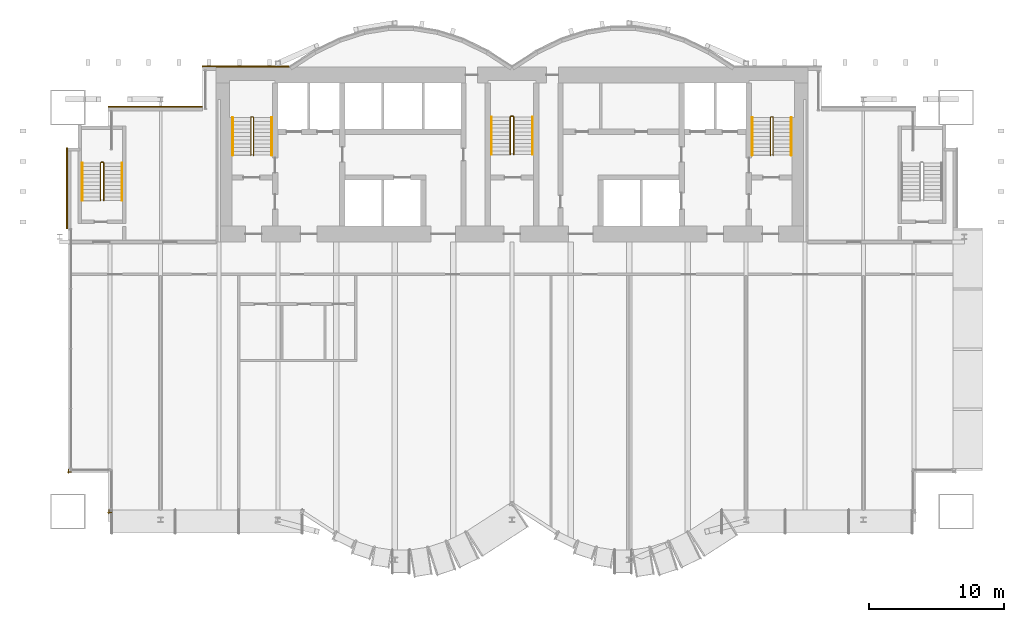
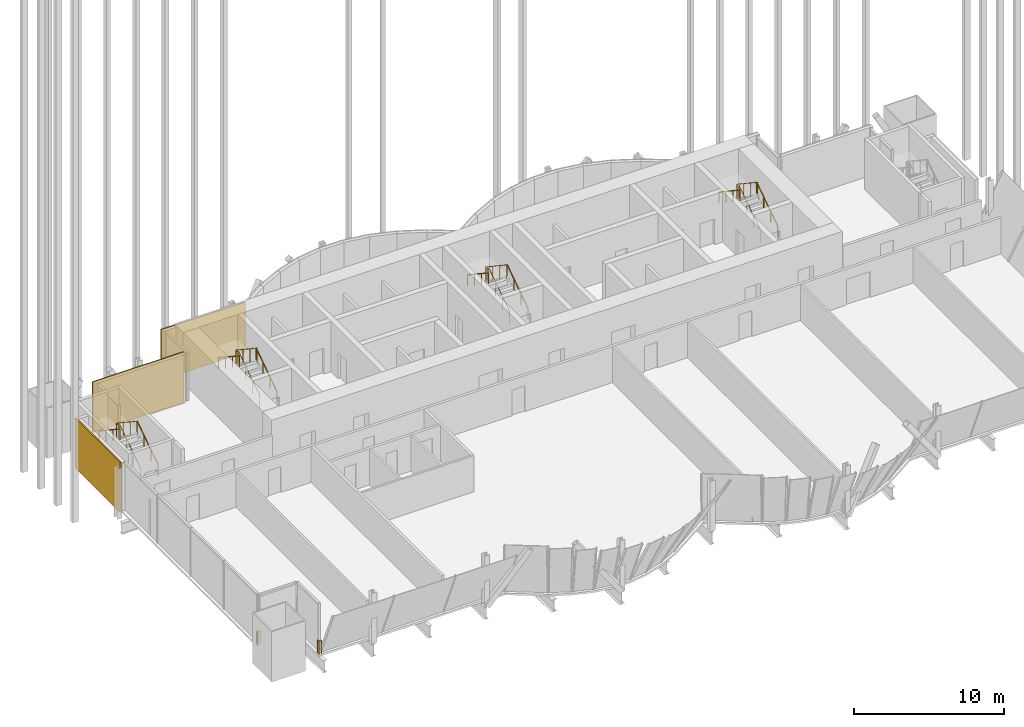
# One storey, part 32 of 33: 14 railings, 3 coverings.
"""IFC4 building model written with IfcOpenShell, lengths in metres."""

from ifc_helpers import new_model, si_unit, direction, frame, origin, origin_2d, place, context, subcontext, project, spatial, rectangle, circle, extrude, material, layer, layer_set, type_object, element, save


model = new_model("IFC4")

# Units and contexts
model_context = context("Model", 3, precision=1e-05, world=origin(), true_north=direction((0.0, 1.0)))
body_context = subcontext(model_context, "Body", "Model", "MODEL_VIEW")
ifc_project = project(units=[si_unit("LENGTHUNIT", "METRE"), si_unit("AREAUNIT", "SQUARE_METRE"), si_unit("VOLUMEUNIT", "CUBIC_METRE"), si_unit("PLANEANGLEUNIT", "RADIAN"), si_unit("MASSUNIT", "GRAM", prefix="KILO")], contexts=[model_context])

# Site, building, storey
site_placement = place(None, origin())
site = spatial("IfcSite", under=ifc_project, at=site_placement, CompositionType="ELEMENT")
building_placement = place(site_placement, origin())
building = spatial("IfcBuilding", under=site, at=building_placement, Name="Bicima Exchange Tower", CompositionType="ELEMENT")
storey_placement = place(building_placement, frame((0.0, 0.0, 140.39990234375)))
storey = spatial("IfcBuildingStorey", under=building, at=storey_placement, Name="L30", CompositionType="ELEMENT", Elevation=140.39990234375)

# Coverings
ifc_material_1 = material(Name="Bronze metal cladding")
ifc_layer_1 = layer(ifc_material_1, 0.004)
ifc_material_2 = material(Name="Ventilated cavity")
ifc_layer_2 = layer(ifc_material_2, 0.06)
ifc_material_3 = material(Name="Galvanised steel rail and mineral wool", Category="steel")
ifc_layer_3 = layer(ifc_material_3, 0.036)
ifc_layer_set = layer_set([ifc_layer_1, ifc_layer_2, ifc_layer_3], Name="Ventilated cavity")
covering_type = type_object("IfcCoveringType", Name="Bronze metal cladding panel 100", PredefinedType="CLADDING", material=ifc_layer_set)
covering_1_placement = place(storey_placement, frame((-19.75, 0.050048828125, -0.14990234375), z_axis=(0.0, 0.0, 1.0), x_axis=(-1.0, 0.0, 0.0)))
element("IfcCovering", 1, at=covering_1_placement, inside=storey, type_object=covering_type, Name="Bronze cladding L30 26.1", PredefinedType="CLADDING", context=body_context, shape_type="SweptSolid", body=[
    extrude(rectangle(XDim=6.5, YDim=0.10009765625, at=origin_2d()), origin(), (0.0, 0.0, 1.0), 4.10009765625),
])
covering_2_placement = place(storey_placement, frame((-26.5, -2.949951171875, -0.14990234375), z_axis=(0.0, 0.0, 1.0), x_axis=(-1.0, 0.0, 0.0)))
element("IfcCovering", 2, at=covering_2_placement, inside=storey, type_object=covering_type, Name="Bronze cladding L30 28.1", PredefinedType="CLADDING", context=body_context, shape_type="SweptSolid", body=[
    extrude(rectangle(XDim=7.0, YDim=0.10009765625, at=origin_2d()), origin(), (0.0, 0.0, 1.0), 4.10009765625),
])
covering_3_placement = place(storey_placement, frame((-33.050048828125, -9.0, -0.14990234375), z_axis=(0.0, 0.0, 1.0), x_axis=(0.0, -1.0, 0.0)))
element("IfcCovering", 3, at=covering_3_placement, inside=storey, type_object=covering_type, Name="Bronze cladding L30 31.1", PredefinedType="CLADDING", context=body_context, shape_type="SweptSolid", body=[
    extrude(rectangle(XDim=6.0, YDim=0.10009765625, at=origin_2d()), origin(), (0.0, 0.0, 1.0), 4.10009765625),
])

# Railings
ifc_material_4 = material(Name="Stainless steel and bonded safety glass", Category="steel")
railing_type_1 = type_object("IfcRailingType", Name="Edge guard 1100", PredefinedType="GUARDRAIL", material=ifc_material_4)
railing_1_placement = place(storey_placement, frame((-29.751953125, -33.093994140625, 0.0)))
element("IfcRailing", 4, at=railing_1_placement, inside=storey, type_object=railing_type_1, Name="Edge guard L30 146", PredefinedType="GUARDRAIL", context=body_context, shape_type="SweptSolid", body=[
    extrude(circle(Radius=0.02392578125, at=origin_2d()), frame((0.0, 0.0, 1.076171875), z_axis=(-1.0, 0.0, 0.0), x_axis=(0.0, -1.0, 0.0)), (0.0, 0.0, 1.0), 0.248046875),
    extrude(circle(Radius=0.02392578125, at=origin_2d()), frame((-0.248046875, 0.0, 1.076171875), z_axis=(0.707106781187, -0.707106781187, 0.0), x_axis=(0.707106781187, 0.707106781187, 0.0)), (0.0, 0.0, 1.0), 0.07080078125),
    extrude(circle(Radius=0.02392578125, at=origin_2d()), frame((-0.197998046875, -0.050048828125, 1.076171875), z_axis=(0.0, 1.0, 0.0), x_axis=(-1.0, 0.0, 0.0)), (0.0, 0.0, 1.0), 0.25),
    extrude(circle(Radius=0.02099609375, at=origin_2d()), origin(), (0.0, 0.0, 1.0), 1.052001953125),
    extrude(circle(Radius=0.02099609375, at=origin_2d()), frame((-0.248046875, 0.0, 0.0)), (0.0, 0.0, 1.0), 1.052001953125),
    extrude(circle(Radius=0.02099609375, at=origin_2d()), frame((-0.197998046875, -0.050048828125, 0.0)), (0.0, 0.0, 1.0), 1.052001953125),
    extrude(circle(Radius=0.02099609375, at=origin_2d()), frame((-0.197998046875, 0.199951171875, 0.0)), (0.0, 0.0, 1.0), 1.052001953125),
])
railing_2_placement = place(storey_placement, frame((-32.75, -30.093994140625, 0.0)))
element("IfcRailing", 5, at=railing_2_placement, inside=storey, type_object=railing_type_1, Name="Edge guard L30 147", PredefinedType="GUARDRAIL", context=body_context, shape_type="SweptSolid", body=[
    extrude(circle(Radius=0.02392578125, at=origin_2d()), frame((0.0, 0.0, 1.076171875), z_axis=(-1.0, 0.0, 0.0), x_axis=(0.0, -1.0, 0.0)), (0.0, 0.0, 1.0), 0.25),
    extrude(circle(Radius=0.02392578125, at=origin_2d()), frame((-0.25, 0.0, 1.076171875), z_axis=(0.707106781187, -0.707106781187, 0.0), x_axis=(0.707106781187, 0.707106781187, 0.0)), (0.0, 0.0, 1.0), 0.07080078125),
    extrude(circle(Radius=0.02392578125, at=origin_2d()), frame((-0.199951171875, -0.050048828125, 1.076171875), z_axis=(0.0, 1.0, 0.0), x_axis=(-1.0, 0.0, 0.0)), (0.0, 0.0, 1.0), 0.2490234375),
    extrude(circle(Radius=0.02099609375, at=origin_2d()), origin(), (0.0, 0.0, 1.0), 1.052001953125),
    extrude(circle(Radius=0.02099609375, at=origin_2d()), frame((-0.25, 0.0, 0.0)), (0.0, 0.0, 1.0), 1.052001953125),
    extrude(circle(Radius=0.02099609375, at=origin_2d()), frame((-0.199951171875, -0.050048828125, 0.0)), (0.0, 0.0, 1.0), 1.052001953125),
    extrude(circle(Radius=0.02099609375, at=origin_2d()), frame((-0.199951171875, 0.198974609375, 0.0)), (0.0, 0.0, 1.0), 1.052001953125),
])
ifc_material_5 = material(Name="Stainless steel", Category="steel")
railing_type_2 = type_object("IfcRailingType", Name="Stair guard 1100", PredefinedType="GUARDRAIL", material=ifc_material_5)
railing_3_placement = place(storey_placement, frame((-19.199951171875, -6.550048828125, 0.1865234375)))
element("IfcRailing", 6, at=railing_3_placement, inside=storey, type_object=railing_type_2, Name="L30 ST-W stair guard 1", PredefinedType="GUARDRAIL", context=body_context, shape_type="SweptSolid", body=[
    extrude(circle(Radius=0.02392578125, at=origin_2d()), frame((0.0, 0.0, 1.076171875), z_axis=(0.0, 0.832485552168, 0.554046753832), x_axis=(-1.0, 0.0, 0.0)), (0.0, 0.0, 1.0), 3.363525390625),
    extrude(circle(Radius=0.02392578125, at=origin_2d()), frame((0.0, 2.800048828125, 2.939453125), z_axis=(-0.707106781187, 0.707106781187, 0.0), x_axis=(-0.707106781187, -0.707106781187, 0.0)), (0.0, 0.0, 1.0), 0.07080078125),
    extrude(circle(Radius=0.02392578125, at=origin_2d()), frame((-0.050048828125, 2.85009765625, 2.939453125), z_axis=(-1.0, 0.0, 0.0), x_axis=(0.0, -1.0, 0.0)), (0.0, 0.0, 1.0), 0.10009765625),
    extrude(circle(Radius=0.02392578125, at=origin_2d()), frame((-0.150146484375, 2.85009765625, 2.939453125), z_axis=(-0.249722437352, -0.250946566947, 0.935235010476), x_axis=(0.708833529934, -0.705375805398, 0.0)), (0.0, 0.0, 1.0), 0.199462890625),
    extrude(circle(Radius=0.02392578125, at=origin_2d()), frame((-0.199951171875, 2.800048828125, 3.1259765625), z_axis=(0.0, -0.832485552168, 0.554046753832), x_axis=(1.0, 0.0, 0.0)), (0.0, 0.0, 1.0), 3.363525390625),
    extrude(circle(Radius=0.02099609375, at=origin_2d()), origin(), (0.0, 0.0, 1.0), 1.052001953125),
    extrude(circle(Radius=0.02099609375, at=origin_2d()), frame((0.0, 0.933349609375, 0.62109375)), (0.0, 0.0, 1.0), 1.052001953125),
    extrude(circle(Radius=0.02099609375, at=origin_2d()), frame((0.0, 1.86669921875, 1.242431640625)), (0.0, 0.0, 1.0), 1.052001953125),
    extrude(circle(Radius=0.02099609375, at=origin_2d()), frame((0.0, 2.800048828125, 1.863525390625)), (0.0, 0.0, 1.0), 1.052001953125),
    extrude(circle(Radius=0.02099609375, at=origin_2d()), frame((-0.050048828125, 2.85009765625, 1.863525390625)), (0.0, 0.0, 1.0), 1.052001953125),
    extrude(circle(Radius=0.02099609375, at=origin_2d()), frame((-0.150146484375, 2.85009765625, 1.863525390625)), (0.0, 0.0, 1.0), 1.052001953125),
    extrude(circle(Radius=0.02099609375, at=origin_2d()), frame((-0.199951171875, 2.800048828125, 2.050048828125)), (0.0, 0.0, 1.0), 1.052001953125),
    extrude(circle(Radius=0.02099609375, at=origin_2d()), frame((-0.199951171875, 1.86669921875, 2.671142578125)), (0.0, 0.0, 1.0), 1.052001953125),
    extrude(circle(Radius=0.02099609375, at=origin_2d()), frame((-0.199951171875, 0.933349609375, 3.29248046875)), (0.0, 0.0, 1.0), 1.052001953125),
    extrude(circle(Radius=0.02099609375, at=origin_2d()), frame((-0.199951171875, 0.0, 3.91357421875)), (0.0, 0.0, 1.0), 1.052001953125),
])
railing_4_placement = place(storey_placement, frame((0.125, -6.5, 0.1865234375)))
element("IfcRailing", 7, at=railing_4_placement, inside=storey, type_object=railing_type_2, Name="L30 ST-C stair guard 1", PredefinedType="GUARDRAIL", context=body_context, shape_type="SweptSolid", body=[
    extrude(circle(Radius=0.02392578125, at=origin_2d()), frame((0.0, 0.0, 1.076171875), z_axis=(0.0, 0.832485552168, 0.554046753832), x_axis=(-1.0, 0.0, 0.0)), (0.0, 0.0, 1.0), 3.363525390625),
    extrude(circle(Radius=0.02392578125, at=origin_2d()), frame((0.0, 2.800048828125, 2.939453125), z_axis=(-0.707106781187, 0.707106781187, 0.0), x_axis=(-0.707106781187, -0.707106781187, 0.0)), (0.0, 0.0, 1.0), 0.07080078125),
    extrude(circle(Radius=0.02392578125, at=origin_2d()), frame((-0.050048828125, 2.85009765625, 2.939453125), z_axis=(-1.0, 0.0, 0.0), x_axis=(0.0, -1.0, 0.0)), (0.0, 0.0, 1.0), 0.14990234375),
    extrude(circle(Radius=0.02392578125, at=origin_2d()), frame((-0.199951171875, 2.85009765625, 2.939453125), z_axis=(-0.250869701741, -0.250869701741, 0.934948546978), x_axis=(0.707106781187, -0.707106781187, 0.0)), (0.0, 0.0, 1.0), 0.199462890625),
    extrude(circle(Radius=0.02392578125, at=origin_2d()), frame((-0.25, 2.800048828125, 3.1259765625), z_axis=(0.0, -0.832485552168, 0.554046753832), x_axis=(1.0, 0.0, 0.0)), (0.0, 0.0, 1.0), 3.363525390625),
    extrude(circle(Radius=0.02099609375, at=origin_2d()), origin(), (0.0, 0.0, 1.0), 1.052001953125),
    extrude(circle(Radius=0.02099609375, at=origin_2d()), frame((0.0, 0.933349609375, 0.62109375)), (0.0, 0.0, 1.0), 1.052001953125),
    extrude(circle(Radius=0.02099609375, at=origin_2d()), frame((0.0, 1.86669921875, 1.242431640625)), (0.0, 0.0, 1.0), 1.052001953125),
    extrude(circle(Radius=0.02099609375, at=origin_2d()), frame((0.0, 2.800048828125, 1.863525390625)), (0.0, 0.0, 1.0), 1.052001953125),
    extrude(circle(Radius=0.02099609375, at=origin_2d()), frame((-0.050048828125, 2.85009765625, 1.863525390625)), (0.0, 0.0, 1.0), 1.052001953125),
    extrude(circle(Radius=0.02099609375, at=origin_2d()), frame((-0.199951171875, 2.85009765625, 1.863525390625)), (0.0, 0.0, 1.0), 1.052001953125),
    extrude(circle(Radius=0.02099609375, at=origin_2d()), frame((-0.25, 2.800048828125, 2.050048828125)), (0.0, 0.0, 1.0), 1.052001953125),
    extrude(circle(Radius=0.02099609375, at=origin_2d()), frame((-0.25, 1.86669921875, 2.671142578125)), (0.0, 0.0, 1.0), 1.052001953125),
    extrude(circle(Radius=0.02099609375, at=origin_2d()), frame((-0.25, 0.933349609375, 3.29248046875)), (0.0, 0.0, 1.0), 1.052001953125),
    extrude(circle(Radius=0.02099609375, at=origin_2d()), frame((-0.25, 0.0, 3.91357421875)), (0.0, 0.0, 1.0), 1.052001953125),
])
railing_5_placement = place(storey_placement, frame((19.39990234375, -6.550048828125, 0.1865234375)))
element("IfcRailing", 8, at=railing_5_placement, inside=storey, type_object=railing_type_2, Name="L30 ST-E stair guard 1", PredefinedType="GUARDRAIL", context=body_context, shape_type="SweptSolid", body=[
    extrude(circle(Radius=0.02392578125, at=origin_2d()), frame((0.0, 0.0, 1.076171875), z_axis=(0.0, 0.832485552168, 0.554046753832), x_axis=(-1.0, 0.0, 0.0)), (0.0, 0.0, 1.0), 3.363525390625),
    extrude(circle(Radius=0.02392578125, at=origin_2d()), frame((0.0, 2.800048828125, 2.939453125), z_axis=(-0.705375805398, 0.708833529934, 0.0), x_axis=(-0.708833529934, -0.705375805398, 0.0)), (0.0, 0.0, 1.0), 0.070556640625),
    extrude(circle(Radius=0.02392578125, at=origin_2d()), frame((-0.0498046875, 2.85009765625, 2.939453125), z_axis=(-1.0, 0.0, 0.0), x_axis=(0.0, -1.0, 0.0)), (0.0, 0.0, 1.0), 0.10009765625),
    extrude(circle(Radius=0.02392578125, at=origin_2d()), frame((-0.14990234375, 2.85009765625, 2.939453125), z_axis=(-0.250869701741, -0.250869701741, 0.934948546978), x_axis=(0.707106781187, -0.707106781187, 0.0)), (0.0, 0.0, 1.0), 0.199462890625),
    extrude(circle(Radius=0.02392578125, at=origin_2d()), frame((-0.199951171875, 2.800048828125, 3.1259765625), z_axis=(0.0, -0.832485552168, 0.554046753832), x_axis=(1.0, 0.0, 0.0)), (0.0, 0.0, 1.0), 3.363525390625),
    extrude(circle(Radius=0.02099609375, at=origin_2d()), origin(), (0.0, 0.0, 1.0), 1.052001953125),
    extrude(circle(Radius=0.02099609375, at=origin_2d()), frame((0.0, 0.933349609375, 0.62109375)), (0.0, 0.0, 1.0), 1.052001953125),
    extrude(circle(Radius=0.02099609375, at=origin_2d()), frame((0.0, 1.86669921875, 1.242431640625)), (0.0, 0.0, 1.0), 1.052001953125),
    extrude(circle(Radius=0.02099609375, at=origin_2d()), frame((0.0, 2.800048828125, 1.863525390625)), (0.0, 0.0, 1.0), 1.052001953125),
    extrude(circle(Radius=0.02099609375, at=origin_2d()), frame((-0.0498046875, 2.85009765625, 1.863525390625)), (0.0, 0.0, 1.0), 1.052001953125),
    extrude(circle(Radius=0.02099609375, at=origin_2d()), frame((-0.14990234375, 2.85009765625, 1.863525390625)), (0.0, 0.0, 1.0), 1.052001953125),
    extrude(circle(Radius=0.02099609375, at=origin_2d()), frame((-0.199951171875, 2.800048828125, 2.050048828125)), (0.0, 0.0, 1.0), 1.052001953125),
    extrude(circle(Radius=0.02099609375, at=origin_2d()), frame((-0.199951171875, 1.86669921875, 2.671142578125)), (0.0, 0.0, 1.0), 1.052001953125),
    extrude(circle(Radius=0.02099609375, at=origin_2d()), frame((-0.199951171875, 0.933349609375, 3.29248046875)), (0.0, 0.0, 1.0), 1.052001953125),
    extrude(circle(Radius=0.02099609375, at=origin_2d()), frame((-0.199951171875, 0.0, 3.91357421875)), (0.0, 0.0, 1.0), 1.052001953125),
])
railing_6_placement = place(storey_placement, frame((-30.324951171875, -9.925048828125, 0.1865234375)))
element("IfcRailing", 9, at=railing_6_placement, inside=storey, type_object=railing_type_2, Name="L30 ST-WW stair guard 1", PredefinedType="GUARDRAIL", context=body_context, shape_type="SweptSolid", body=[
    extrude(circle(Radius=0.02392578125, at=origin_2d()), frame((0.0, 0.0, 1.076171875), z_axis=(0.0, 0.832485552168, 0.554046753832), x_axis=(-1.0, 0.0, 0.0)), (0.0, 0.0, 1.0), 3.363525390625),
    extrude(circle(Radius=0.02392578125, at=origin_2d()), frame((0.0, 2.800048828125, 2.939453125), z_axis=(-0.707106781187, 0.707106781187, 0.0), x_axis=(-0.707106781187, -0.707106781187, 0.0)), (0.0, 0.0, 1.0), 0.07080078125),
    extrude(circle(Radius=0.02392578125, at=origin_2d()), frame((-0.050048828125, 2.85009765625, 2.939453125), z_axis=(-1.0, 0.0, 0.0), x_axis=(0.0, -1.0, 0.0)), (0.0, 0.0, 1.0), 0.14990234375),
    extrude(circle(Radius=0.02392578125, at=origin_2d()), frame((-0.199951171875, 2.85009765625, 2.939453125), z_axis=(-0.250869701741, -0.250869701741, 0.934948546978), x_axis=(0.707106781187, -0.707106781187, 0.0)), (0.0, 0.0, 1.0), 0.199462890625),
    extrude(circle(Radius=0.02392578125, at=origin_2d()), frame((-0.25, 2.800048828125, 3.1259765625), z_axis=(0.0, -0.832485552168, 0.554046753832), x_axis=(1.0, 0.0, 0.0)), (0.0, 0.0, 1.0), 3.363525390625),
    extrude(circle(Radius=0.02099609375, at=origin_2d()), origin(), (0.0, 0.0, 1.0), 1.052001953125),
    extrude(circle(Radius=0.02099609375, at=origin_2d()), frame((0.0, 0.933349609375, 0.62109375)), (0.0, 0.0, 1.0), 1.052001953125),
    extrude(circle(Radius=0.02099609375, at=origin_2d()), frame((0.0, 1.86669921875, 1.242431640625)), (0.0, 0.0, 1.0), 1.052001953125),
    extrude(circle(Radius=0.02099609375, at=origin_2d()), frame((0.0, 2.800048828125, 1.863525390625)), (0.0, 0.0, 1.0), 1.052001953125),
    extrude(circle(Radius=0.02099609375, at=origin_2d()), frame((-0.050048828125, 2.85009765625, 1.863525390625)), (0.0, 0.0, 1.0), 1.052001953125),
    extrude(circle(Radius=0.02099609375, at=origin_2d()), frame((-0.199951171875, 2.85009765625, 1.863525390625)), (0.0, 0.0, 1.0), 1.052001953125),
    extrude(circle(Radius=0.02099609375, at=origin_2d()), frame((-0.25, 2.800048828125, 2.050048828125)), (0.0, 0.0, 1.0), 1.052001953125),
    extrude(circle(Radius=0.02099609375, at=origin_2d()), frame((-0.25, 1.86669921875, 2.671142578125)), (0.0, 0.0, 1.0), 1.052001953125),
    extrude(circle(Radius=0.02099609375, at=origin_2d()), frame((-0.25, 0.933349609375, 3.29248046875)), (0.0, 0.0, 1.0), 1.052001953125),
    extrude(circle(Radius=0.02099609375, at=origin_2d()), frame((-0.25, 0.0, 3.91357421875)), (0.0, 0.0, 1.0), 1.052001953125),
])
railing_type_3 = type_object("IfcRailingType", Name="Stair handrail 900", PredefinedType="HANDRAIL", material=ifc_material_5)
railing_7_placement = place(storey_placement, frame((-17.85009765625, -6.550048828125, 0.1865234375)))
element("IfcRailing", 10, at=railing_7_placement, inside=storey, type_object=railing_type_3, Name="L30 ST-W stair handrail 1", PredefinedType="HANDRAIL", context=body_context, shape_type="SweptSolid", body=[
    extrude(circle(Radius=0.02392578125, at=origin_2d()), frame((0.0, 0.0, 0.8759765625), z_axis=(0.0, 0.832485552168, 0.554046753832), x_axis=(-1.0, 0.0, 0.0)), (0.0, 0.0, 1.0), 3.363525390625),
    extrude(circle(Radius=0.02099609375, at=origin_2d()), origin(), (0.0, 0.0, 1.0), 0.851806640625),
    extrude(circle(Radius=0.02099609375, at=origin_2d()), frame((0.0, 0.933349609375, 0.62109375)), (0.0, 0.0, 1.0), 0.851806640625),
    extrude(circle(Radius=0.02099609375, at=origin_2d()), frame((0.0, 1.86669921875, 1.242431640625)), (0.0, 0.0, 1.0), 0.851806640625),
    extrude(circle(Radius=0.02099609375, at=origin_2d()), frame((0.0, 2.800048828125, 1.863525390625)), (0.0, 0.0, 1.0), 0.851806640625),
])
railing_8_placement = place(storey_placement, frame((-20.75, -3.75, 2.27685546875)))
element("IfcRailing", 11, at=railing_8_placement, inside=storey, type_object=railing_type_3, Name="L30 ST-W stair handrail 2", PredefinedType="HANDRAIL", context=body_context, shape_type="SweptSolid", body=[
    extrude(circle(Radius=0.02392578125, at=origin_2d()), frame((0.0, 0.0, 0.8759765625), z_axis=(0.0, -0.832485552168, 0.554046753832), x_axis=(1.0, 0.0, 0.0)), (0.0, 0.0, 1.0), 3.363525390625),
    extrude(circle(Radius=0.02099609375, at=origin_2d()), origin(), (0.0, 0.0, 1.0), 0.851806640625),
    extrude(circle(Radius=0.02099609375, at=origin_2d()), frame((0.0, -0.933349609375, 0.62109375)), (0.0, 0.0, 1.0), 0.851806640625),
    extrude(circle(Radius=0.02099609375, at=origin_2d()), frame((0.0, -1.86669921875, 1.242431640625)), (0.0, 0.0, 1.0), 0.851806640625),
    extrude(circle(Radius=0.02099609375, at=origin_2d()), frame((0.0, -2.800048828125, 1.863525390625)), (0.0, 0.0, 1.0), 0.851806640625),
])
railing_9_placement = place(storey_placement, frame((1.52490234375, -6.5, 0.1865234375)))
element("IfcRailing", 12, at=railing_9_placement, inside=storey, type_object=railing_type_3, Name="L30 ST-C stair handrail 1", PredefinedType="HANDRAIL", context=body_context, shape_type="SweptSolid", body=[
    extrude(circle(Radius=0.02392578125, at=origin_2d()), frame((0.0, 0.0, 0.8759765625), z_axis=(0.0, 0.832485552168, 0.554046753832), x_axis=(-1.0, 0.0, 0.0)), (0.0, 0.0, 1.0), 3.363525390625),
    extrude(circle(Radius=0.02099609375, at=origin_2d()), origin(), (0.0, 0.0, 1.0), 0.851806640625),
    extrude(circle(Radius=0.02099609375, at=origin_2d()), frame((0.0, 0.933349609375, 0.62109375)), (0.0, 0.0, 1.0), 0.851806640625),
    extrude(circle(Radius=0.02099609375, at=origin_2d()), frame((0.0, 1.86669921875, 1.242431640625)), (0.0, 0.0, 1.0), 0.851806640625),
    extrude(circle(Radius=0.02099609375, at=origin_2d()), frame((0.0, 2.800048828125, 1.863525390625)), (0.0, 0.0, 1.0), 0.851806640625),
])
railing_10_placement = place(storey_placement, frame((-1.52490234375, -3.699951171875, 2.27685546875)))
element("IfcRailing", 13, at=railing_10_placement, inside=storey, type_object=railing_type_3, Name="L30 ST-C stair handrail 2", PredefinedType="HANDRAIL", context=body_context, shape_type="SweptSolid", body=[
    extrude(circle(Radius=0.02392578125, at=origin_2d()), frame((0.0, 0.0, 0.8759765625), z_axis=(0.0, -0.832485552168, 0.554046753832), x_axis=(1.0, 0.0, 0.0)), (0.0, 0.0, 1.0), 3.363525390625),
    extrude(circle(Radius=0.02099609375, at=origin_2d()), origin(), (0.0, 0.0, 1.0), 0.851806640625),
    extrude(circle(Radius=0.02099609375, at=origin_2d()), frame((0.0, -0.933349609375, 0.62109375)), (0.0, 0.0, 1.0), 0.851806640625),
    extrude(circle(Radius=0.02099609375, at=origin_2d()), frame((0.0, -1.86669921875, 1.242431640625)), (0.0, 0.0, 1.0), 0.851806640625),
    extrude(circle(Radius=0.02099609375, at=origin_2d()), frame((0.0, -2.800048828125, 1.863525390625)), (0.0, 0.0, 1.0), 0.851806640625),
])
railing_11_placement = place(storey_placement, frame((20.75, -6.550048828125, 0.1865234375)))
element("IfcRailing", 14, at=railing_11_placement, inside=storey, type_object=railing_type_3, Name="L30 ST-E stair handrail 1", PredefinedType="HANDRAIL", context=body_context, shape_type="SweptSolid", body=[
    extrude(circle(Radius=0.02392578125, at=origin_2d()), frame((0.0, 0.0, 0.8759765625), z_axis=(0.0, 0.832485552168, 0.554046753832), x_axis=(-1.0, 0.0, 0.0)), (0.0, 0.0, 1.0), 3.363525390625),
    extrude(circle(Radius=0.02099609375, at=origin_2d()), origin(), (0.0, 0.0, 1.0), 0.851806640625),
    extrude(circle(Radius=0.02099609375, at=origin_2d()), frame((0.0, 0.933349609375, 0.62109375)), (0.0, 0.0, 1.0), 0.851806640625),
    extrude(circle(Radius=0.02099609375, at=origin_2d()), frame((0.0, 1.86669921875, 1.242431640625)), (0.0, 0.0, 1.0), 0.851806640625),
    extrude(circle(Radius=0.02099609375, at=origin_2d()), frame((0.0, 2.800048828125, 1.863525390625)), (0.0, 0.0, 1.0), 0.851806640625),
])
railing_12_placement = place(storey_placement, frame((17.85009765625, -3.75, 2.27685546875)))
element("IfcRailing", 15, at=railing_12_placement, inside=storey, type_object=railing_type_3, Name="L30 ST-E stair handrail 2", PredefinedType="HANDRAIL", context=body_context, shape_type="SweptSolid", body=[
    extrude(circle(Radius=0.02392578125, at=origin_2d()), frame((0.0, 0.0, 0.8759765625), z_axis=(0.0, -0.832485552168, 0.554046753832), x_axis=(1.0, 0.0, 0.0)), (0.0, 0.0, 1.0), 3.363525390625),
    extrude(circle(Radius=0.02099609375, at=origin_2d()), origin(), (0.0, 0.0, 1.0), 0.851806640625),
    extrude(circle(Radius=0.02099609375, at=origin_2d()), frame((0.0, -0.933349609375, 0.62109375)), (0.0, 0.0, 1.0), 0.851806640625),
    extrude(circle(Radius=0.02099609375, at=origin_2d()), frame((0.0, -1.86669921875, 1.242431640625)), (0.0, 0.0, 1.0), 0.851806640625),
    extrude(circle(Radius=0.02099609375, at=origin_2d()), frame((0.0, -2.800048828125, 1.863525390625)), (0.0, 0.0, 1.0), 0.851806640625),
])
railing_13_placement = place(storey_placement, frame((-28.97509765625, -9.925048828125, 0.1865234375)))
element("IfcRailing", 16, at=railing_13_placement, inside=storey, type_object=railing_type_3, Name="L30 ST-WW stair handrail 1", PredefinedType="HANDRAIL", context=body_context, shape_type="SweptSolid", body=[
    extrude(circle(Radius=0.02392578125, at=origin_2d()), frame((0.0, 0.0, 0.8759765625), z_axis=(0.0, 0.832485552168, 0.554046753832), x_axis=(-1.0, 0.0, 0.0)), (0.0, 0.0, 1.0), 3.363525390625),
    extrude(circle(Radius=0.02099609375, at=origin_2d()), origin(), (0.0, 0.0, 1.0), 0.851806640625),
    extrude(circle(Radius=0.02099609375, at=origin_2d()), frame((0.0, 0.933349609375, 0.62109375)), (0.0, 0.0, 1.0), 0.851806640625),
    extrude(circle(Radius=0.02099609375, at=origin_2d()), frame((0.0, 1.86669921875, 1.242431640625)), (0.0, 0.0, 1.0), 0.851806640625),
    extrude(circle(Radius=0.02099609375, at=origin_2d()), frame((0.0, 2.800048828125, 1.863525390625)), (0.0, 0.0, 1.0), 0.851806640625),
])
railing_14_placement = place(storey_placement, frame((-31.925048828125, -7.125, 2.27685546875)))
element("IfcRailing", 17, at=railing_14_placement, inside=storey, type_object=railing_type_3, Name="L30 ST-WW stair handrail 2", PredefinedType="HANDRAIL", context=body_context, shape_type="SweptSolid", body=[
    extrude(circle(Radius=0.02392578125, at=origin_2d()), frame((0.0, 0.0, 0.8759765625), z_axis=(0.0, -0.832485552168, 0.554046753832), x_axis=(1.0, 0.0, 0.0)), (0.0, 0.0, 1.0), 3.363525390625),
    extrude(circle(Radius=0.02099609375, at=origin_2d()), origin(), (0.0, 0.0, 1.0), 0.851806640625),
    extrude(circle(Radius=0.02099609375, at=origin_2d()), frame((0.0, -0.933349609375, 0.62109375)), (0.0, 0.0, 1.0), 0.851806640625),
    extrude(circle(Radius=0.02099609375, at=origin_2d()), frame((0.0, -1.86669921875, 1.242431640625)), (0.0, 0.0, 1.0), 0.851806640625),
    extrude(circle(Radius=0.02099609375, at=origin_2d()), frame((0.0, -2.800048828125, 1.863525390625)), (0.0, 0.0, 1.0), 0.851806640625),
])

save(model, "model.ifc")
